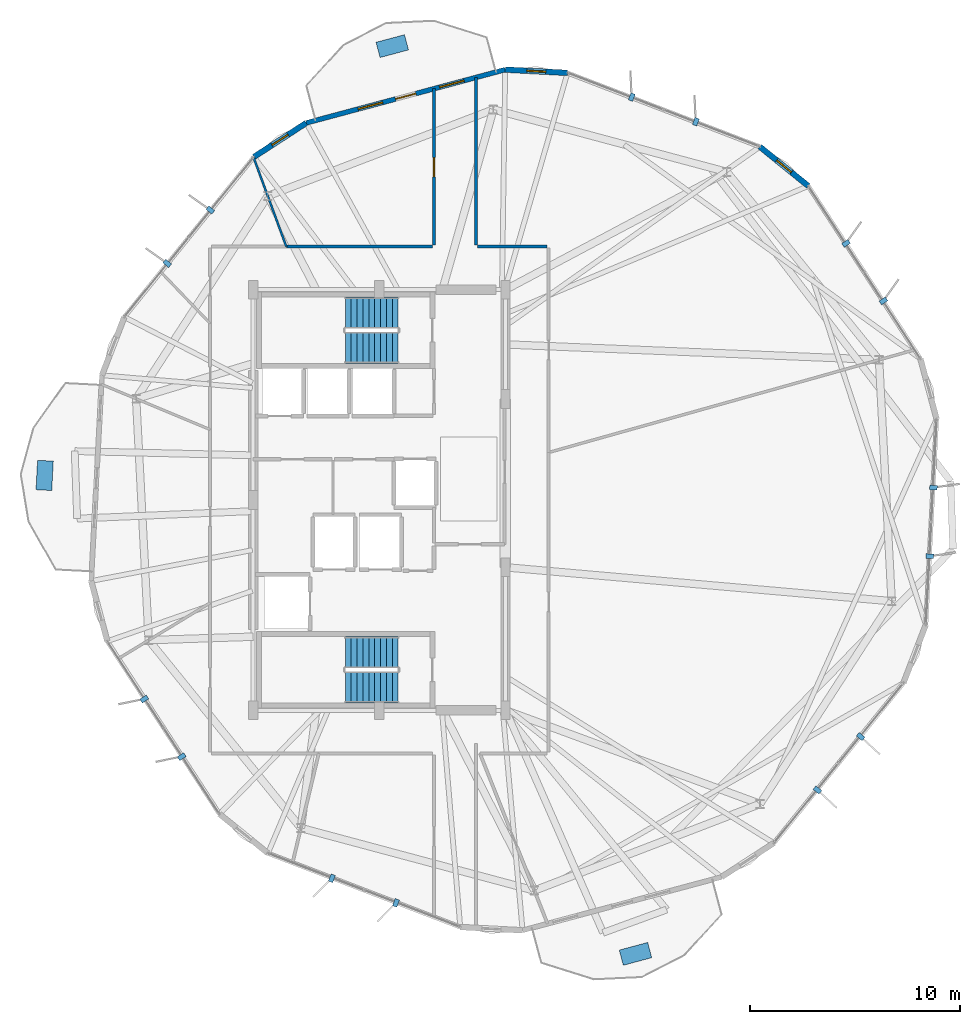
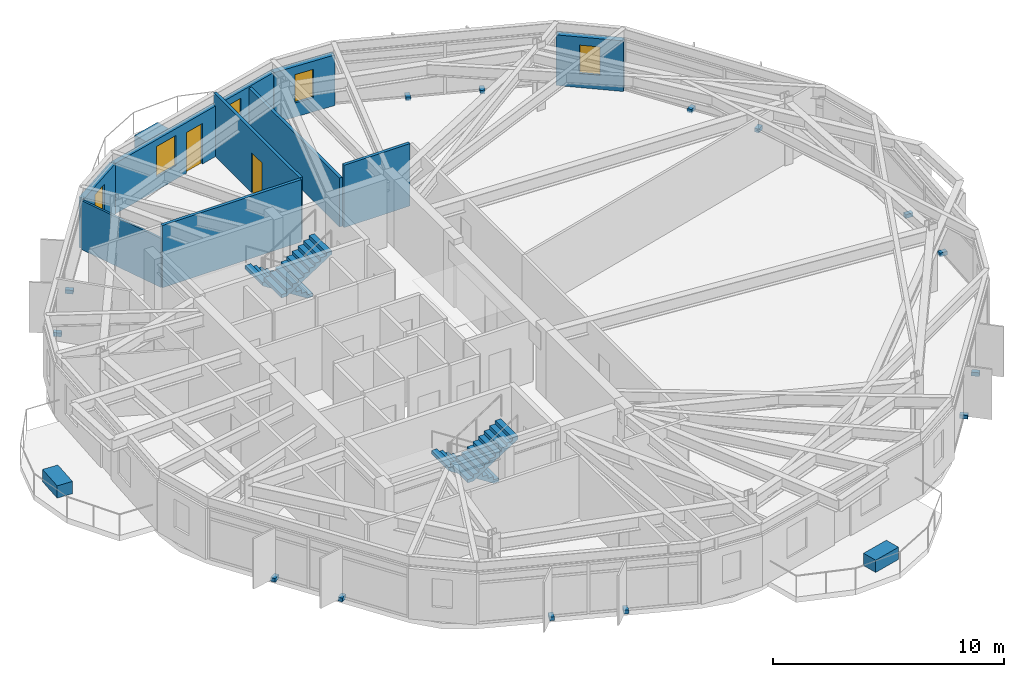
# One storey, part 26 of 29: 17 discrete accessories, 9 walls, 5 windows, 4 stair flights, 2 doors, 7 openings, 2 elements without a shape of their own.
"""IFC4 building model written with IfcOpenShell, lengths in metres."""

from ifc_helpers import new_model, si_unit, direction, frame, frame_2d, origin, origin_2d, place, context, subcontext, project, spatial, polyline, rectangle, outline, extrude, material, layer, layer_set, type_object, element, fill, aggregate, save


model = new_model("IFC4")

# Units and contexts
model_context = context("Model", 3, precision=1e-05, world=origin(), true_north=direction((0.0, 1.0)))
body_context = subcontext(model_context, "Body", "Model", "MODEL_VIEW")
ifc_project = project(units=[si_unit("LENGTHUNIT", "METRE"), si_unit("AREAUNIT", "SQUARE_METRE"), si_unit("VOLUMEUNIT", "CUBIC_METRE"), si_unit("PLANEANGLEUNIT", "RADIAN"), si_unit("MASSUNIT", "GRAM", prefix="KILO")], contexts=[model_context])

# Site, building, storey
site_placement = place(None, origin())
site = spatial("IfcSite", under=ifc_project, at=site_placement, CompositionType="ELEMENT")
building_placement = place(site_placement, origin())
building = spatial("IfcBuilding", under=site, at=building_placement, Name="Soratama Intermodal Tower", CompositionType="ELEMENT")
storey_placement = place(building_placement, frame((0.0, 0.0, 219.39990234375)))
storey = spatial("IfcBuildingStorey", under=building, at=storey_placement, Name="L55", CompositionType="ELEMENT", Elevation=219.39990234375)

# Wall, openings, door, windows
ifc_material_1 = material(Name="Concrete f'c 42 MPa", Category="concrete")
ifc_layer_1 = layer(ifc_material_1, 0.22998046875)
ifc_layer_set_1 = layer_set([ifc_layer_1], Name="Concrete f'c 42 MPa")
wall_type_1 = type_object("IfcWallType", Name="EW-BAL-230", PredefinedType="SOLIDWALL", material=ifc_layer_set_1)
wall_1_placement = place(storey_placement, frame((44.58740234375, 45.4677734375, 0.0), z_axis=(0.0, 0.0, 1.0), x_axis=(-0.965924471327, -0.258824101839, 0.0)))
wall_1 = element("IfcWall", 1, at=wall_1_placement, inside=storey, type_object=wall_type_1, Name="L55 Terrace Wall F02", PredefinedType="SOLIDWALL", context=body_context, shape_type="SweptSolid", body=[
    extrude(rectangle(XDim=9.7978515625, YDim=0.22998046875, at=frame_2d((4.89892578125, 0.0))), origin(), (0.0, 0.0, 1.0), 2.67919921875),
])
opening_1_placement = place(wall_1_placement, frame((4.398681640625, 0.0, 0.0)))
opening_1 = element("IfcOpeningElement", 2, at=opening_1_placement, cuts=wall_1, Name="Opening ED-2", PredefinedType="OPENING", context=body_context, shape_type="SweptSolid", body=[
    extrude(rectangle(XDim=1.0, YDim=2.14990234375, at=frame_2d((0.5, 1.074951171875))), frame((0.0, 0.125, 0.0), z_axis=(0.0, -1.0, 0.0), x_axis=(1.0, 0.0, 0.0)), (0.0, 0.0, 1.0), 0.25),
])
opening_2_placement = place(wall_1_placement, frame((2.029052734375, 0.0, 0.719970703125)))
opening_2 = element("IfcOpeningElement", 3, at=opening_2_placement, cuts=wall_1, Name="Opening WN-2", PredefinedType="OPENING", context=body_context, shape_type="SweptSolid", body=[
    extrude(rectangle(XDim=1.199951171875, YDim=1.60009765625, at=frame_2d((0.60009765625, 0.800048828125))), frame((0.0, 0.125, 0.0), z_axis=(0.0, -1.0, 0.0), x_axis=(1.0, 0.0, 0.0)), (0.0, 0.0, 1.0), 0.25),
])
opening_3_placement = place(wall_1_placement, frame((6.038818359375, 0.0, 0.719970703125)))
opening_3 = element("IfcOpeningElement", 4, at=opening_3_placement, cuts=wall_1, Name="Opening WN-2", PredefinedType="OPENING", context=body_context, shape_type="SweptSolid", body=[
    extrude(rectangle(XDim=1.199951171875, YDim=1.60009765625, at=frame_2d((0.60009765625, 0.800048828125))), frame((0.0, 0.125, 0.0), z_axis=(0.0, -1.0, 0.0), x_axis=(1.0, 0.0, 0.0)), (0.0, 0.0, 1.0), 0.25),
])
ifc_material_2 = material(Name="Double-glazed aluminium door", Category="aluminium")
door_type_1 = type_object("IfcDoorType", Name="DR-BAL-1000", OperationType="NOTDEFINED", PredefinedType="DOOR", material=ifc_material_2)
door_1_placement = place(opening_1_placement, origin())
door_1 = element("IfcDoor", 5, at=door_1_placement, inside=storey, type_object=door_type_1, Name="L55 Balcony Door F02", OperationType="SINGLE_SWING_RIGHT", OverallHeight=2.14990234375, OverallWidth=1.0, PredefinedType="DOOR", context=body_context, shape_type="SweptSolid", body=[
    extrude(rectangle(XDim=1.0, YDim=2.14990234375, at=frame_2d((0.5, 1.074951171875))), frame((0.0, 0.02490234375, 0.0), z_axis=(0.0, -1.0, 0.0), x_axis=(1.0, 0.0, 0.0)), (0.0, 0.0, 1.0), 0.050048828125),
])
fill(opening_1, door_1)
ifc_material_3 = material(Name="Double-glazed aluminium window", Category="aluminium")
window_type_1 = type_object("IfcWindowType", Name="WN-FAC-1200", PartitioningType="SINGLE_PANEL", PredefinedType="WINDOW", material=ifc_material_3)
window_1_placement = place(opening_2_placement, origin())
window_1 = element("IfcWindow", 6, at=window_1_placement, inside=storey, type_object=window_type_1, Name="L55 Window A F02", OverallHeight=1.60009765625, OverallWidth=1.199951171875, PartitioningType="SINGLE_PANEL", PredefinedType="WINDOW", context=body_context, shape_type="SweptSolid", body=[
    extrude(rectangle(XDim=1.199951171875, YDim=1.60009765625, at=frame_2d((0.60009765625, 0.800048828125))), frame((0.0, 0.030029296875, 0.0), z_axis=(0.0, -1.0, 0.0), x_axis=(1.0, 0.0, 0.0)), (0.0, 0.0, 1.0), 0.06005859375),
])
fill(opening_2, window_1)
window_2_placement = place(opening_3_placement, origin())
window_2 = element("IfcWindow", 7, at=window_2_placement, inside=storey, type_object=window_type_1, Name="L55 Window B F02", OverallHeight=1.60009765625, OverallWidth=1.199951171875, PartitioningType="SINGLE_PANEL", PredefinedType="WINDOW", context=body_context, shape_type="SweptSolid", body=[
    extrude(rectangle(XDim=1.199951171875, YDim=1.60009765625, at=frame_2d((0.60009765625, 0.800048828125))), frame((0.0, 0.030029296875, 0.0), z_axis=(0.0, -1.0, 0.0), x_axis=(1.0, 0.0, 0.0)), (0.0, 0.0, 1.0), 0.06005859375),
])
fill(opening_3, window_2)

# Wall, opening, window
ifc_material_4 = material(Name="Concrete f'c 42 MPa", Category="concrete")
ifc_layer_2 = layer(ifc_material_4, 0.27001953125)
ifc_layer_set_2 = layer_set([ifc_layer_2], Name="Concrete f'c 42 MPa")
wall_type_2 = type_object("IfcWallType", Name="EW-CRN-270", PredefinedType="SOLIDWALL", material=ifc_layer_set_2)
wall_2_placement = place(storey_placement, frame((47.5498046875, 45.3125, 0.0), z_axis=(0.0, 0.0, 1.0), x_axis=(-0.998629173391, 0.05234285102, 0.0)))
wall_2 = element("IfcWall", 8, at=wall_2_placement, inside=storey, type_object=wall_type_2, Name="L55 Corner Closure Wall 01", PredefinedType="SOLIDWALL", context=body_context, shape_type="SweptSolid", body=[
    extrude(rectangle(XDim=2.966552734375, YDim=0.27001953125, at=frame_2d((1.4833984375, 0.0))), origin(), (0.0, 0.0, 1.0), 2.67919921875),
])
opening_4_placement = place(wall_2_placement, frame((1.033203125, 0.0, 0.75)))
opening_4 = element("IfcOpeningElement", 9, at=opening_4_placement, cuts=wall_2, Name="Opening WN-6", PredefinedType="OPENING", context=body_context, shape_type="SweptSolid", body=[
    extrude(rectangle(XDim=0.89990234375, YDim=1.5, at=frame_2d((0.449951171875, 0.75))), frame((0.0, 0.14501953125, 0.0), z_axis=(0.0, -1.0, 0.0), x_axis=(1.0, 0.0, 0.0)), (0.0, 0.0, 1.0), 0.2900390625),
])
ifc_material_5 = material(Name="Double-glazed aluminium window", Category="aluminium")
window_type_2 = type_object("IfcWindowType", Name="WN-FAC-900", PartitioningType="SINGLE_PANEL", PredefinedType="WINDOW", material=ifc_material_5)
window_3_placement = place(opening_4_placement, origin())
window_3 = element("IfcWindow", 10, at=window_3_placement, inside=storey, type_object=window_type_2, Name="L55 Corner Window 01", OverallHeight=1.5, OverallWidth=0.89990234375, PartitioningType="SINGLE_PANEL", PredefinedType="WINDOW", context=body_context, shape_type="SweptSolid", body=[
    extrude(rectangle(XDim=0.89990234375, YDim=1.5, at=frame_2d((0.449951171875, 0.75))), frame((0.0, 0.030029296875, 0.0), z_axis=(0.0, -1.0, 0.0), x_axis=(1.0, 0.0, 0.0)), (0.0, 0.0, 1.0), 0.06005859375),
])
fill(opening_4, window_3)

wall_3_placement = place(storey_placement, frame((35.12353515625, 42.931884765625, 0.0), z_axis=(0.0, 0.0, 1.0), x_axis=(-0.838674807451, -0.544632506693, 0.0)))
wall_3 = element("IfcWall", 11, at=wall_3_placement, inside=storey, type_object=wall_type_2, Name="L55 Corner Closure Wall 02", PredefinedType="SOLIDWALL", context=body_context, shape_type="SweptSolid", body=[
    extrude(rectangle(XDim=2.966552734375, YDim=0.27001953125, at=frame_2d((1.4833984375, 0.0))), origin(), (0.0, 0.0, 1.0), 2.67919921875),
])
opening_5_placement = place(wall_3_placement, frame((1.033203125, 0.0, 0.75)))
opening_5 = element("IfcOpeningElement", 12, at=opening_5_placement, cuts=wall_3, Name="Opening WN-6", PredefinedType="OPENING", context=body_context, shape_type="SweptSolid", body=[
    extrude(rectangle(XDim=0.89990234375, YDim=1.5, at=frame_2d((0.449951171875, 0.75))), frame((0.0, 0.14501953125, 0.0), z_axis=(0.0, -1.0, 0.0), x_axis=(1.0, 0.0, 0.0)), (0.0, 0.0, 1.0), 0.2900390625),
])
window_4_placement = place(opening_5_placement, origin())
window_4 = element("IfcWindow", 13, at=window_4_placement, inside=storey, type_object=window_type_2, Name="L55 Corner Window 02", OverallHeight=1.5, OverallWidth=0.89990234375, PartitioningType="SINGLE_PANEL", PredefinedType="WINDOW", context=body_context, shape_type="SweptSolid", body=[
    extrude(rectangle(XDim=0.89990234375, YDim=1.5, at=frame_2d((0.449951171875, 0.75))), frame((0.0, 0.030029296875, 0.0), z_axis=(0.0, -1.0, 0.0), x_axis=(1.0, 0.0, 0.0)), (0.0, 0.0, 1.0), 0.06005859375),
])
fill(opening_5, window_4)

wall_4_placement = place(storey_placement, frame((59.002197265625, 39.934326171875, 0.0), z_axis=(0.0, 0.0, 1.0), x_axis=(-0.777137534132, 0.629330797787, 0.0)))
wall_4 = element("IfcWall", 14, at=wall_4_placement, inside=storey, type_object=wall_type_2, Name="L55 Corner Closure Wall 10", PredefinedType="SOLIDWALL", context=body_context, shape_type="SweptSolid", body=[
    extrude(rectangle(XDim=2.966552734375, YDim=0.27001953125, at=frame_2d((1.4833984375, 0.0))), origin(), (0.0, 0.0, 1.0), 2.67919921875),
])
opening_6_placement = place(wall_4_placement, frame((1.033203125, 0.0, 0.75)))
opening_6 = element("IfcOpeningElement", 15, at=opening_6_placement, cuts=wall_4, Name="Opening WN-6", PredefinedType="OPENING", context=body_context, shape_type="SweptSolid", body=[
    extrude(rectangle(XDim=0.89990234375, YDim=1.5, at=frame_2d((0.449951171875, 0.75))), frame((0.0, 0.14501953125, 0.0), z_axis=(0.0, -1.0, 0.0), x_axis=(1.0, 0.0, 0.0)), (0.0, 0.0, 1.0), 0.2900390625),
])
window_5_placement = place(opening_6_placement, origin())
window_5 = element("IfcWindow", 16, at=window_5_placement, inside=storey, type_object=window_type_2, Name="L55 Corner Window 10", OverallHeight=1.5, OverallWidth=0.89990234375, PartitioningType="SINGLE_PANEL", PredefinedType="WINDOW", context=body_context, shape_type="SweptSolid", body=[
    extrude(rectangle(XDim=0.89990234375, YDim=1.5, at=frame_2d((0.449951171875, 0.75))), frame((0.0, 0.030029296875, 0.0), z_axis=(0.0, -1.0, 0.0), x_axis=(1.0, 0.0, 0.0)), (0.0, 0.0, 1.0), 0.06005859375),
])
fill(opening_6, window_5)

# Wall
ifc_material_6 = material(Name="Fire-rated gypsum stud partition", Category="concrete")
ifc_layer_3 = layer(ifc_material_6, 0.14990234375)
ifc_layer_set_3 = layer_set([ifc_layer_3], Name="Fire-rated gypsum stud partition")
wall_type_3 = type_object("IfcWallType", Name="IW-PART-R150", PredefinedType="PARTITIONING", material=ifc_layer_set_3)
wall_5_placement = place(storey_placement, frame((43.199951171875, 45.095947265625, 0.0), z_axis=(0.0, 0.0, 1.0), x_axis=(0.0, -1.0, 0.0)))
element("IfcWall", 17, at=wall_5_placement, inside=storey, type_object=wall_type_3, Name="L55 Partition W-L55-TP006", PredefinedType="PARTITIONING", context=body_context, shape_type="SweptSolid", body=[
    extrude(rectangle(XDim=7.975830078125, YDim=0.14990234375, at=frame_2d((3.98779296875, 0.0))), origin(), (0.0, 0.0, 1.0), 2.59521484375),
])

# Wall, opening, door
wall_6_placement = place(storey_placement, frame((41.199951171875, 37.1201171875, 0.0), z_axis=(0.0, 0.0, 1.0), x_axis=(0.0, 1.0, 0.0)))
wall_6 = element("IfcWall", 18, at=wall_6_placement, inside=storey, type_object=wall_type_3, Name="L55 Partition W-L55-TP008", PredefinedType="PARTITIONING", context=body_context, shape_type="SweptSolid", body=[
    extrude(rectangle(XDim=7.43994140625, YDim=0.14990234375, at=frame_2d((3.719970703125, 0.0))), origin(), (0.0, 0.0, 1.0), 3.300048828125),
])
opening_7_placement = place(wall_6_placement, frame((3.2451171875, 0.0, 0.0)))
opening_7 = element("IfcOpeningElement", 19, at=opening_7_placement, cuts=wall_6, Name="Opening ID-6", PredefinedType="OPENING", context=body_context, shape_type="SweptSolid", body=[
    extrude(rectangle(XDim=0.919921875, YDim=2.1201171875, at=frame_2d((0.4599609375, 1.06005859375))), frame((0.0, 0.0849609375, 0.0), z_axis=(0.0, -1.0, 0.0), x_axis=(1.0, 0.0, 0.0)), (0.0, 0.0, 1.0), 0.169921875),
])
ifc_material_7 = material(Name="Solid hardwood acoustic door", Category="wood")
door_type_2 = type_object("IfcDoorType", Name="DR-ROOM-920", OperationType="NOTDEFINED", PredefinedType="DOOR", material=ifc_material_7)
door_2_placement = place(opening_7_placement, origin())
door_2 = element("IfcDoor", 20, at=door_2_placement, inside=storey, type_object=door_type_2, Name="L55 Door D-L55-TP005", OperationType="SINGLE_SWING_RIGHT", OverallHeight=2.1201171875, OverallWidth=0.919921875, PredefinedType="DOOR", context=body_context, shape_type="SweptSolid", body=[
    extrude(rectangle(XDim=0.919921875, YDim=2.1201171875, at=frame_2d((0.4599609375, 1.06005859375))), frame((0.0, 0.02490234375, 0.0), z_axis=(0.0, -1.0, 0.0), x_axis=(1.0, 0.0, 0.0)), (0.0, 0.0, 1.0), 0.050048828125),
])
fill(opening_7, door_2)

# Walls
wall_7_placement = place(storey_placement, frame((34.177978515625, 37.050048828125, 0.0), z_axis=(0.0, 0.0, 1.0), x_axis=(1.0, 0.0, 0.0)))
element("IfcWall", 21, at=wall_7_placement, inside=storey, type_object=wall_type_3, Name="L55 Partition W-L55-TP010", PredefinedType="PARTITIONING", context=body_context, shape_type="SweptSolid", body=[
    extrude(rectangle(XDim=6.951904296875, YDim=0.14990234375, at=frame_2d((3.47607421875, 0.0))), origin(), (0.0, 0.0, 1.0), 3.300048828125),
])
wall_8_placement = place(storey_placement, frame((43.27001953125, 37.050048828125, 0.0), z_axis=(0.0, 0.0, 1.0), x_axis=(1.0, 0.0, 0.0)))
element("IfcWall", 22, at=wall_8_placement, inside=storey, type_object=wall_type_3, Name="L55 Partition W-L55-TP024", PredefinedType="PARTITIONING", context=body_context, shape_type="SweptSolid", body=[
    extrude(rectangle(XDim=3.31005859375, YDim=0.14990234375, at=frame_2d((1.655029296875, 0.0))), origin(), (0.0, 0.0, 1.0), 3.300048828125),
])
ifc_material_8 = material(Name="Fire-rated gypsum stud partition", Category="concrete")
ifc_layer_4 = layer(ifc_material_8, 0.10009765625)
ifc_layer_set_4 = layer_set([ifc_layer_4], Name="Fire-rated gypsum stud partition")
wall_type_4 = type_object("IfcWallType", Name="IW-PART-S100", PredefinedType="PARTITIONING", material=ifc_layer_set_4)
wall_9_placement = place(storey_placement, frame((34.177978515625, 37.050048828125, 0.0), z_axis=(0.0, 0.0, 1.0), x_axis=(-0.344697105997, 0.938713963419, 0.0)))
element("IfcWall", 23, at=wall_9_placement, inside=storey, type_object=wall_type_4, Name="L55 Partition W-L55-TP018", PredefinedType="PARTITIONING", context=body_context, shape_type="SweptSolid", body=[
    extrude(rectangle(XDim=4.52294921875, YDim=0.10009765625, at=frame_2d((2.261474609375, 0.0))), origin(), (0.0, 0.0, 1.0), 2.59521484375),
])

# Stair, stair flights
ifc_material_9 = material(Name="Concrete f'c 42 MPa", Category="concrete")
stair_type = type_object("IfcStairType", Name="ST-CORE-DOGLEG", PredefinedType="HALF_TURN_STAIR", material=ifc_material_9)
stair_1_placement = place(storey_placement, origin())
stair_1 = element("IfcStair", 24, at=stair_1_placement, inside=storey, type_object=stair_type, Name="L55 ST-1", PredefinedType="HALF_TURN_STAIR")
ifc_material_10 = material(Name="Precast concrete f'c 40 MPa", Category="concrete")
ifc_layer_5 = layer(ifc_material_10, 0.199951171875)
ifc_layer_set_5 = layer_set([ifc_layer_5], Name="Precast concrete f'c 40 MPa")
stair_flight_type = type_object("IfcStairFlightType", Name="SF-FLIGHT-RC", PredefinedType="STRAIGHT", material=ifc_layer_set_5)
stair_flight_1_placement = place(storey_placement, frame((39.5, 17.75, 0.0), z_axis=(0.0, 0.0, 1.0), x_axis=(-1.0, 0.0, 0.0)))
stair_flight_1 = element("IfcStairFlight", 25, at=stair_flight_1_placement, type_object=stair_flight_type, Name="ST-1 flight 1", NumberOfRisers=10, NumberOfTreads=9, PredefinedType="STRAIGHT", RiserHeight=0.18, TreadLength=0.28, context=body_context, shape_type="SweptSolid", body=[
    extrude(outline(polyline([(0.0, 0.0), (0.0, 0.179931640625), (0.280029296875, 0.179931640625), (0.280029296875, 0.360107421875), (0.56005859375, 0.360107421875), (0.56005859375, 0.5400390625), (0.840087890625, 0.5400390625), (0.840087890625, 0.719970703125), (1.1201171875, 0.719970703125), (1.1201171875, 0.89990234375), (1.39990234375, 0.89990234375), (1.39990234375, 1.080078125), (1.679931640625, 1.080078125), (1.679931640625, 1.260009765625), (1.9599609375, 1.260009765625), (1.9599609375, 1.43994140625), (2.239990234375, 1.43994140625), (2.239990234375, 1.6201171875), (2.52001953125, 1.6201171875), (2.52001953125, 1.800048828125), (2.52001953125, 1.44189453125), (0.277099609375, 0.0), (0.0, 0.0)])), frame((0.0, 0.75, 0.0), z_axis=(0.0, -1.0, 0.0), x_axis=(1.0, 0.0, 0.0)), (0.0, 0.0, 1.0), 1.5),
])
stair_flight_2_placement = place(storey_placement, frame((36.97998046875, 16.10009765625, 1.800048828125), z_axis=(0.0, 0.0, 1.0), x_axis=(1.0, 0.0, 0.0)))
stair_flight_2 = element("IfcStairFlight", 26, at=stair_flight_2_placement, type_object=stair_flight_type, Name="ST-1 flight 2", NumberOfRisers=10, NumberOfTreads=9, PredefinedType="STRAIGHT", RiserHeight=0.18, TreadLength=0.28, context=body_context, shape_type="SweptSolid", body=[
    extrude(outline(polyline([(0.0, 0.0), (0.0, 0.179931640625), (0.280029296875, 0.179931640625), (0.280029296875, 0.360107421875), (0.56005859375, 0.360107421875), (0.56005859375, 0.5400390625), (0.840087890625, 0.5400390625), (0.840087890625, 0.719970703125), (1.1201171875, 0.719970703125), (1.1201171875, 0.89990234375), (1.39990234375, 0.89990234375), (1.39990234375, 1.080078125), (1.679931640625, 1.080078125), (1.679931640625, 1.260009765625), (1.9599609375, 1.260009765625), (1.9599609375, 1.43994140625), (2.239990234375, 1.43994140625), (2.239990234375, 1.6201171875), (2.52001953125, 1.6201171875), (2.52001953125, 1.800048828125), (2.52001953125, 1.44189453125), (0.277099609375, 0.0), (0.0, 0.0)])), frame((0.0, 0.75, 0.0), z_axis=(0.0, -1.0, 0.0), x_axis=(1.0, 0.0, 0.0)), (0.0, 0.0, 1.0), 1.5),
])
aggregate(stair_1, [stair_flight_1, stair_flight_2])

stair_2_placement = place(storey_placement, origin())
stair_2 = element("IfcStair", 27, at=stair_2_placement, inside=storey, type_object=stair_type, Name="L55 ST-2", PredefinedType="HALF_TURN_STAIR")
stair_flight_3_placement = place(storey_placement, frame((39.5, 33.89990234375, 0.0), z_axis=(0.0, 0.0, 1.0), x_axis=(-1.0, 0.0, 0.0)))
stair_flight_3 = element("IfcStairFlight", 28, at=stair_flight_3_placement, type_object=stair_flight_type, Name="ST-2 flight 1", NumberOfRisers=10, NumberOfTreads=9, PredefinedType="STRAIGHT", RiserHeight=0.18, TreadLength=0.28, context=body_context, shape_type="SweptSolid", body=[
    extrude(outline(polyline([(0.0, 0.0), (0.0, 0.179931640625), (0.280029296875, 0.179931640625), (0.280029296875, 0.360107421875), (0.56005859375, 0.360107421875), (0.56005859375, 0.5400390625), (0.840087890625, 0.5400390625), (0.840087890625, 0.719970703125), (1.1201171875, 0.719970703125), (1.1201171875, 0.89990234375), (1.39990234375, 0.89990234375), (1.39990234375, 1.080078125), (1.679931640625, 1.080078125), (1.679931640625, 1.260009765625), (1.9599609375, 1.260009765625), (1.9599609375, 1.43994140625), (2.239990234375, 1.43994140625), (2.239990234375, 1.6201171875), (2.52001953125, 1.6201171875), (2.52001953125, 1.800048828125), (2.52001953125, 1.44189453125), (0.277099609375, 0.0), (0.0, 0.0)])), frame((0.0, 0.75, 0.0), z_axis=(0.0, -1.0, 0.0), x_axis=(1.0, 0.0, 0.0)), (0.0, 0.0, 1.0), 1.5),
])
stair_flight_4_placement = place(storey_placement, frame((36.97998046875, 32.25, 1.800048828125), z_axis=(0.0, 0.0, 1.0), x_axis=(1.0, 0.0, 0.0)))
stair_flight_4 = element("IfcStairFlight", 29, at=stair_flight_4_placement, type_object=stair_flight_type, Name="ST-2 flight 2", NumberOfRisers=10, NumberOfTreads=9, PredefinedType="STRAIGHT", RiserHeight=0.18, TreadLength=0.28, context=body_context, shape_type="SweptSolid", body=[
    extrude(outline(polyline([(0.0, 0.0), (0.0, 0.179931640625), (0.280029296875, 0.179931640625), (0.280029296875, 0.360107421875), (0.56005859375, 0.360107421875), (0.56005859375, 0.5400390625), (0.840087890625, 0.5400390625), (0.840087890625, 0.719970703125), (1.1201171875, 0.719970703125), (1.1201171875, 0.89990234375), (1.39990234375, 0.89990234375), (1.39990234375, 1.080078125), (1.679931640625, 1.080078125), (1.679931640625, 1.260009765625), (1.9599609375, 1.260009765625), (1.9599609375, 1.43994140625), (2.239990234375, 1.43994140625), (2.239990234375, 1.6201171875), (2.52001953125, 1.6201171875), (2.52001953125, 1.800048828125), (2.52001953125, 1.44189453125), (0.277099609375, 0.0), (0.0, 0.0)])), frame((0.0, 0.75, 0.0), z_axis=(0.0, -1.0, 0.0), x_axis=(1.0, 0.0, 0.0)), (0.0, 0.0, 1.0), 1.5),
])
aggregate(stair_2, [stair_flight_3, stair_flight_4])

# Discrete accessories
ifc_material_11 = material(Name="Structural steel ASTM A992 Grade 50", Category="steel")
discrete_accessory_type_1 = type_object("IfcDiscreteAccessoryType", Name="AC-FIN-BRACKET", PredefinedType="BRACKET", material=ifc_material_11)
for number, where, z_axis, x_axis, name in (
    (30, (53.655029296875, 42.990234375, -0.080078125), (0.0, 0.0, 1.0), (0.358367949545, 0.933580426497, 0.0), "L55 Fin Bracket F01-1"),
    (31, (50.60595703125, 44.16064453125, -0.080078125), (0.0, 0.0, 1.0), (0.358367949545, 0.933580426497, 0.0), "L55 Fin Bracket F01-2"),
    (32, (30.564697265625, 38.790771484375, -0.080078125), (0.0, 0.0, 1.0), (-0.777145961457, 0.62932039105, 0.0), "L55 Fin Bracket F03-1"),
    (33, (28.509521484375, 36.252685546875, -0.080078125), (0.0, 0.0, 1.0), (-0.777145961457, 0.62932039105, 0.0), "L55 Fin Bracket F03-2"),
    (34, (27.423583984375, 15.53271484375, -0.080078125), (0.0, 0.0, 1.0), (-0.838670567945, -0.544639035015, 0.0), "L55 Fin Bracket F05-1"),
    (35, (29.202392578125, 12.793701171875, -0.080078125), (0.0, 0.0, 1.0), (-0.838670567945, -0.544639035015, 0.0), "L55 Fin Bracket F05-2"),
    (36, (36.344970703125, 7.009765625, -0.080078125), (0.0, 0.0, 1.0), (-0.358367949545, -0.933580426497, 0.0), "L55 Fin Bracket F06-1"),
    (37, (39.39404296875, 5.83935546875, -0.080078125), (0.0, 0.0, 1.0), (-0.358367949545, -0.933580426497, 0.0), "L55 Fin Bracket F06-2"),
    (38, (59.435302734375, 11.209228515625, -0.080078125), (0.0, 0.0, 1.0), (0.777145961457, -0.62932039105, 0.0), "L55 Fin Bracket F08-1"),
    (39, (61.490478515625, 13.747314453125, -0.080078125), (0.0, 0.0, 1.0), (0.777145961457, -0.62932039105, 0.0), "L55 Fin Bracket F08-2"),
    (40, (64.784423828125, 22.327880859375, -0.080078125), (0.0, 0.0, 1.0), (0.998629534755, -0.052335956243, 0.0), "L55 Fin Bracket F09-1"),
    (41, (64.955322265625, 25.58935546875, -0.080078125), (0.0, 0.0, 1.0), (0.998629534755, -0.052335956243, 0.0), "L55 Fin Bracket F09-2"),
    (42, (62.576416015625, 34.46728515625, -0.080078125), (0.0, 0.0, 1.0), (0.838670567945, 0.544639035015, 0.0), "L55 Fin Bracket F10-1"),
    (43, (60.797607421875, 37.206298828125, -0.080078125), (0.0, 0.0, 1.0), (0.838670567945, 0.544639035015, 0.0), "L55 Fin Bracket F10-2"),
):
    element("IfcDiscreteAccessory", number, at=place(storey_placement, frame(where, z_axis=z_axis, x_axis=x_axis)), inside=storey, type_object=discrete_accessory_type_1, Name=name, PredefinedType="BRACKET", context=body_context, shape_type="SweptSolid", body=[
        extrude(rectangle(XDim=0.360107421875, YDim=0.219970703125, at=origin_2d()), origin(), (0.0, 0.0, 1.0), 0.199951171875),
    ])
ifc_material_12 = material(Name="Precast concrete f'c 40 MPa", Category="concrete")
discrete_accessory_type_2 = type_object("IfcDiscreteAccessoryType", Name="AC-PLANTER-TREE", PredefinedType="USERDEFINED", material=ifc_material_12)
for number, where, z_axis, x_axis, name in (
    (44, (39.216064453125, 46.585693359375, 0.000244140625), (0.0, 0.0, 1.0), (-0.258819045103, 0.965925826289, 0.0), "L55 Tree Planter 1"),
    (45, (22.68359375, 26.169677734375, 0.000244140625), (0.0, 0.0, 1.0), (-0.998629534755, 0.052335956243, 0.0), "L55 Tree Planter 2"),
    (46, (50.783935546875, 3.414306640625, 0.000244140625), (0.0, 0.0, 1.0), (0.258819045103, -0.965925826289, 0.0), "L55 Tree Planter 3"),
):
    element("IfcDiscreteAccessory", number, at=place(storey_placement, frame(where, z_axis=z_axis, x_axis=x_axis)), inside=storey, type_object=discrete_accessory_type_2, Name=name, ObjectType="PLANTER", PredefinedType="USERDEFINED", context=body_context, shape_type="SweptSolid", body=[
        extrude(rectangle(XDim=0.75, YDim=1.39990234375, at=origin_2d()), origin(), (0.0, 0.0, 1.0), 0.64990234375),
    ])

save(model, "model.ifc")
